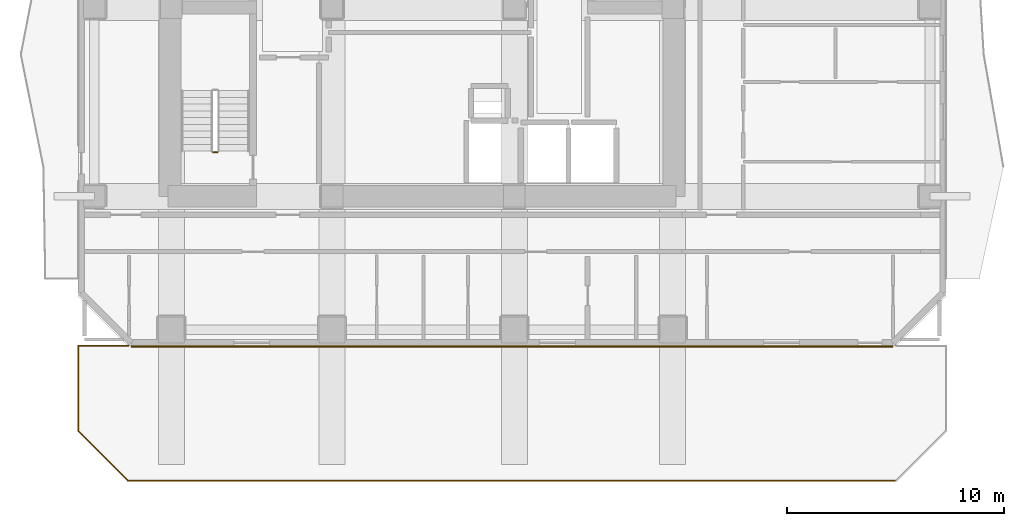
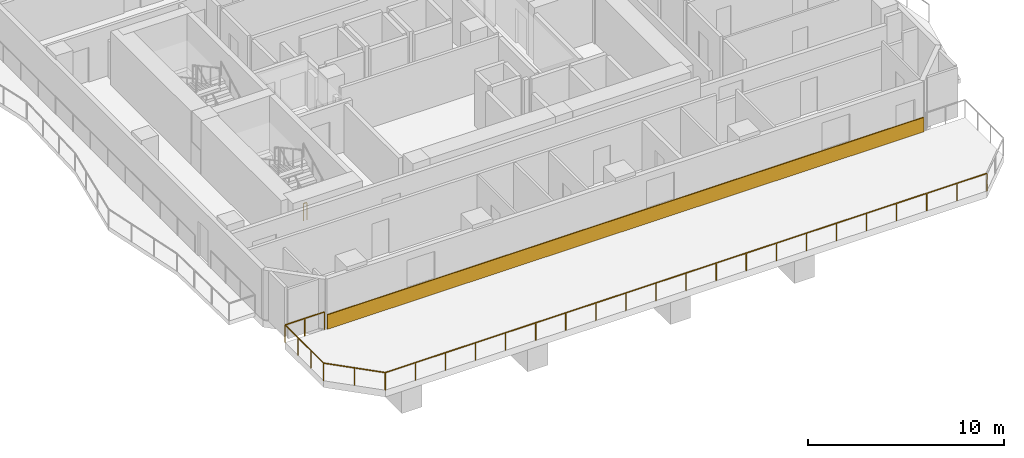
# One storey, part 7 of 9: 5 railings, 1 covering.
"""IFC4 building model written with IfcOpenShell, lengths in metres."""

from ifc_helpers import new_model, si_unit, direction, frame, frame_2d, origin, origin_2d, place, context, subcontext, project, spatial, rectangle, extrude, material, layer, layer_set, type_object, element, save


model = new_model("IFC4")

# Units and contexts
model_context = context("Model", 3, precision=1e-05, world=origin(), true_north=direction((0.0, 1.0)))
body_context = subcontext(model_context, "Body", "Model", "MODEL_VIEW")
ifc_project = project(units=[si_unit("LENGTHUNIT", "METRE"), si_unit("AREAUNIT", "SQUARE_METRE"), si_unit("VOLUMEUNIT", "CUBIC_METRE"), si_unit("PLANEANGLEUNIT", "RADIAN"), si_unit("MASSUNIT", "GRAM", prefix="KILO")], contexts=[model_context])

# Site, building, storey
site_placement = place(None, origin())
site = spatial("IfcSite", under=ifc_project, at=site_placement, CompositionType="ELEMENT")
building_placement = place(site_placement, origin())
building = spatial("IfcBuilding", under=site, at=building_placement, Name="Solanera Arch Residences", CompositionType="ELEMENT")
storey_placement = place(building_placement, frame((0.0, 0.0, 145.919921875)))
storey = spatial("IfcBuildingStorey", under=building, at=storey_placement, Name="L42", CompositionType="ELEMENT", Elevation=145.919921875)

# Railings
ifc_material_1 = material(Name="Steel S355 (ASTM A992 / A572 Grade 50)", Category="steel")
railing_type_1 = type_object("IfcRailingType", Name="Balustrade Railing BL-1100", PredefinedType="BALUSTRADE", material=ifc_material_1)
railing_1_placement = place(storey_placement, frame((11.407958984375, 15.1201171875, 0.0)))
element("IfcRailing", 1, at=railing_1_placement, inside=storey, type_object=railing_type_1, Name="L42 Sky Terrace Guardrail 1", PredefinedType="BALUSTRADE", context=body_context, shape_type="SweptSolid", body=[
    extrude(rectangle(XDim=0.048095703125, YDim=0.048095703125, at=origin_2d()), frame((0.0, 0.0, 1.09619140625), z_axis=(-1.0, 0.0, 0.0), x_axis=(0.0, -1.0, 0.0)), (0.0, 0.0, 1.0), 2.307861328125),
    extrude(rectangle(XDim=0.0419921875, YDim=0.0419921875, at=origin_2d()), origin(), (0.0, 0.0, 1.0), 1.072021484375),
    extrude(rectangle(XDim=0.0419921875, YDim=0.0419921875, at=origin_2d()), frame((-1.15380859375, 0.0, 0.0)), (0.0, 0.0, 1.0), 1.072021484375),
    extrude(rectangle(XDim=0.0419921875, YDim=0.0419921875, at=origin_2d()), frame((-2.307861328125, 0.0, 0.0)), (0.0, 0.0, 1.0), 1.072021484375),
])
railing_2_placement = place(storey_placement, frame((9.10009765625, 15.1201171875, 0.0)))
element("IfcRailing", 2, at=railing_2_placement, inside=storey, type_object=railing_type_1, Name="L42 Sky Terrace Guardrail 1", PredefinedType="BALUSTRADE", context=body_context, shape_type="SweptSolid", body=[
    extrude(rectangle(XDim=0.048095703125, YDim=0.048095703125, at=origin_2d()), frame((0.0, 0.0, 1.09619140625), z_axis=(0.0, -1.0, 0.0), x_axis=(1.0, 0.0, 0.0)), (0.0, 0.0, 1.0), 3.920166015625),
    extrude(rectangle(XDim=0.0419921875, YDim=0.0419921875, at=origin_2d()), origin(), (0.0, 0.0, 1.0), 1.072021484375),
    extrude(rectangle(XDim=0.0419921875, YDim=0.0419921875, at=origin_2d()), frame((0.0, -1.306640625, 0.0)), (0.0, 0.0, 1.0), 1.072021484375),
    extrude(rectangle(XDim=0.0419921875, YDim=0.0419921875, at=origin_2d()), frame((0.0, -2.613525390625, 0.0)), (0.0, 0.0, 1.0), 1.072021484375),
    extrude(rectangle(XDim=0.0419921875, YDim=0.0419921875, at=origin_2d()), frame((0.0, -3.920166015625, 0.0)), (0.0, 0.0, 1.0), 1.072021484375),
])
railing_3_placement = place(storey_placement, frame((9.10009765625, 11.199951171875, 0.0)))
element("IfcRailing", 3, at=railing_3_placement, inside=storey, type_object=railing_type_1, Name="L42 Sky Terrace Guardrail 1", PredefinedType="BALUSTRADE", context=body_context, shape_type="SweptSolid", body=[
    extrude(rectangle(XDim=0.048095703125, YDim=0.048095703125, at=origin_2d()), frame((0.0, 0.0, 1.09619140625), z_axis=(0.707069249976, -0.707144310406, 0.0), x_axis=(0.707144310406, 0.707069249976, 0.0)), (0.0, 0.0, 1.0), 3.252685546875),
    extrude(rectangle(XDim=0.0419921875, YDim=0.0419921875, at=origin_2d()), origin(), (0.0, 0.0, 1.0), 1.072021484375),
    extrude(rectangle(XDim=0.0419921875, YDim=0.0419921875, at=origin_2d()), frame((1.14990234375, -1.14990234375, 0.0)), (0.0, 0.0, 1.0), 1.072021484375),
    extrude(rectangle(XDim=0.0419921875, YDim=0.0419921875, at=origin_2d()), frame((2.2998046875, -2.300048828125, 0.0)), (0.0, 0.0, 1.0), 1.072021484375),
])
railing_4_placement = place(storey_placement, frame((11.39990234375, 8.89990234375, 0.0)))
element("IfcRailing", 4, at=railing_4_placement, inside=storey, type_object=railing_type_1, Name="L42 Sky Terrace Guardrail 1", PredefinedType="BALUSTRADE", context=body_context, shape_type="SweptSolid", body=[
    extrude(rectangle(XDim=0.048095703125, YDim=0.048095703125, at=origin_2d()), frame((0.0, 0.0, 1.09619140625), z_axis=(1.0, 0.0, 0.0), x_axis=(0.0, 1.0, 0.0)), (0.0, 0.0, 1.0), 35.400146484375),
    extrude(rectangle(XDim=0.0419921875, YDim=0.0419921875, at=origin_2d()), origin(), (0.0, 0.0, 1.0), 1.072021484375),
    extrude(rectangle(XDim=0.0419921875, YDim=0.0419921875, at=origin_2d()), frame((1.77001953125, 0.0, 0.0)), (0.0, 0.0, 1.0), 1.072021484375),
    extrude(rectangle(XDim=0.0419921875, YDim=0.0419921875, at=origin_2d()), frame((3.5400390625, 0.0, 0.0)), (0.0, 0.0, 1.0), 1.072021484375),
    extrude(rectangle(XDim=0.0419921875, YDim=0.0419921875, at=origin_2d()), frame((5.31005859375, 0.0, 0.0)), (0.0, 0.0, 1.0), 1.072021484375),
    extrude(rectangle(XDim=0.0419921875, YDim=0.0419921875, at=origin_2d()), frame((7.080078125, 0.0, 0.0)), (0.0, 0.0, 1.0), 1.072021484375),
    extrude(rectangle(XDim=0.0419921875, YDim=0.0419921875, at=origin_2d()), frame((8.85009765625, 0.0, 0.0)), (0.0, 0.0, 1.0), 1.072021484375),
    extrude(rectangle(XDim=0.0419921875, YDim=0.0419921875, at=origin_2d()), frame((10.6201171875, 0.0, 0.0)), (0.0, 0.0, 1.0), 1.072021484375),
    extrude(rectangle(XDim=0.0419921875, YDim=0.0419921875, at=origin_2d()), frame((12.39013671875, 0.0, 0.0)), (0.0, 0.0, 1.0), 1.072021484375),
    extrude(rectangle(XDim=0.0419921875, YDim=0.0419921875, at=origin_2d()), frame((14.16015625, 0.0, 0.0)), (0.0, 0.0, 1.0), 1.072021484375),
    extrude(rectangle(XDim=0.0419921875, YDim=0.0419921875, at=origin_2d()), frame((15.93017578125, 0.0, 0.0)), (0.0, 0.0, 1.0), 1.072021484375),
    extrude(rectangle(XDim=0.0419921875, YDim=0.0419921875, at=origin_2d()), frame((17.7001953125, 0.0, 0.0)), (0.0, 0.0, 1.0), 1.072021484375),
    extrude(rectangle(XDim=0.0419921875, YDim=0.0419921875, at=origin_2d()), frame((19.469970703125, 0.0, 0.0)), (0.0, 0.0, 1.0), 1.072021484375),
    extrude(rectangle(XDim=0.0419921875, YDim=0.0419921875, at=origin_2d()), frame((21.239990234375, 0.0, 0.0)), (0.0, 0.0, 1.0), 1.072021484375),
    extrude(rectangle(XDim=0.0419921875, YDim=0.0419921875, at=origin_2d()), frame((23.010009765625, 0.0, 0.0)), (0.0, 0.0, 1.0), 1.072021484375),
    extrude(rectangle(XDim=0.0419921875, YDim=0.0419921875, at=origin_2d()), frame((24.780029296875, 0.0, 0.0)), (0.0, 0.0, 1.0), 1.072021484375),
    extrude(rectangle(XDim=0.0419921875, YDim=0.0419921875, at=origin_2d()), frame((26.550048828125, 0.0, 0.0)), (0.0, 0.0, 1.0), 1.072021484375),
    extrude(rectangle(XDim=0.0419921875, YDim=0.0419921875, at=origin_2d()), frame((28.320068359375, 0.0, 0.0)), (0.0, 0.0, 1.0), 1.072021484375),
    extrude(rectangle(XDim=0.0419921875, YDim=0.0419921875, at=origin_2d()), frame((30.090087890625, 0.0, 0.0)), (0.0, 0.0, 1.0), 1.072021484375),
    extrude(rectangle(XDim=0.0419921875, YDim=0.0419921875, at=origin_2d()), frame((31.860107421875, 0.0, 0.0)), (0.0, 0.0, 1.0), 1.072021484375),
    extrude(rectangle(XDim=0.0419921875, YDim=0.0419921875, at=origin_2d()), frame((33.630126953125, 0.0, 0.0)), (0.0, 0.0, 1.0), 1.072021484375),
    extrude(rectangle(XDim=0.0419921875, YDim=0.0419921875, at=origin_2d()), frame((35.400146484375, 0.0, 0.0)), (0.0, 0.0, 1.0), 1.072021484375),
])

# Covering
ifc_material_2 = material(Name="Philippine Adobe Travertine Cladding", Category="masonry")
ifc_layer = layer(ifc_material_2, 0.06005859375)
ifc_layer_set = layer_set([ifc_layer], Name="Philippine Adobe Travertine Cladding")
covering_type = type_object("IfcCoveringType", Name="Precast Pier Stone Cladding CLD-60", PredefinedType="CLADDING", material=ifc_layer_set)
covering_placement = place(storey_placement, frame((46.64501953125, 15.0849609375, 0.0), z_axis=(0.0, 0.0, 1.0), x_axis=(-1.0, 0.0, 0.0)))
element("IfcCovering", 5, at=covering_placement, inside=storey, type_object=covering_type, Name="L42 S Precast Spandrel Stone Band", PredefinedType="CLADDING", context=body_context, shape_type="SweptSolid", body=[
    extrude(rectangle(XDim=35.090087890625, YDim=0.06005859375, at=frame_2d((17.544921875, 0.0))), origin(), (0.0, 0.0, 1.0), 0.900146484375),
])

# Railing
ifc_material_3 = material(Name="Steel S355 (ASTM A992 / A572 Grade 50)", Category="steel")
railing_type_2 = type_object("IfcRailingType", Name="Stair Guardrail GR-1100", PredefinedType="GUARDRAIL", material=ifc_material_3)
railing_5_placement = place(storey_placement, frame((15.52001953125, 24.030029296875, -0.014892578125)))
element("IfcRailing", 6, at=railing_5_placement, inside=storey, type_object=railing_type_2, Name="L42 ST-T3 stair guard 4", PredefinedType="GUARDRAIL", context=body_context, shape_type="SweptSolid", body=[
    extrude(rectangle(XDim=0.048095703125, YDim=0.048095703125, at=origin_2d()), frame((0.0, 0.0, 1.076171875), z_axis=(-1.0, 0.0, 0.0), x_axis=(0.0, -1.0, 0.0)), (0.0, 0.0, 1.0), 0.199951171875),
    extrude(rectangle(XDim=0.0419921875, YDim=0.0419921875, at=origin_2d()), origin(), (0.0, 0.0, 1.0), 1.052001953125),
    extrude(rectangle(XDim=0.0419921875, YDim=0.0419921875, at=origin_2d()), frame((-0.199951171875, 0.0, 0.0)), (0.0, 0.0, 1.0), 1.052001953125),
])

save(model, "model.ifc")
